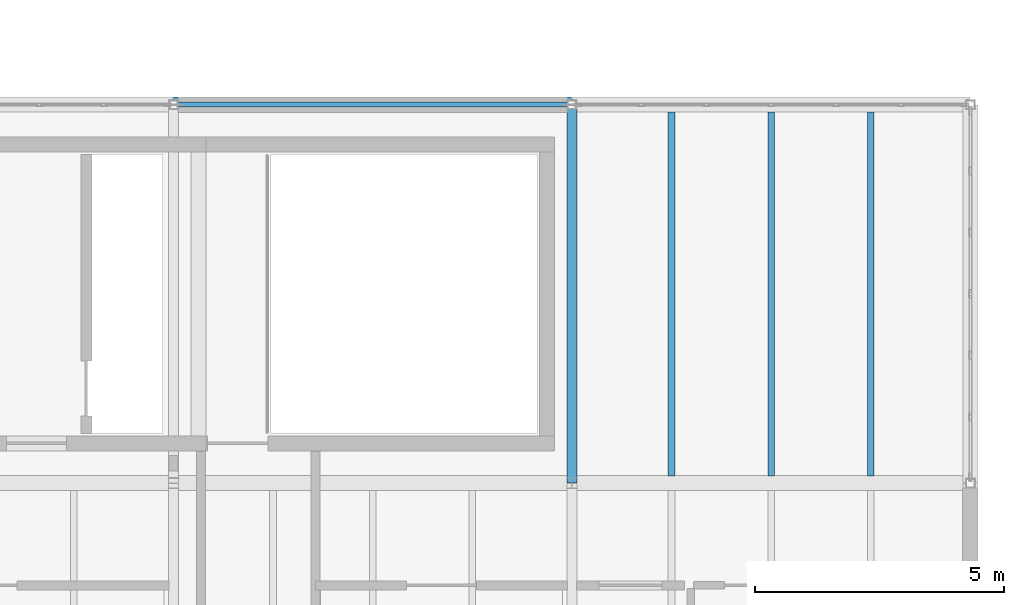
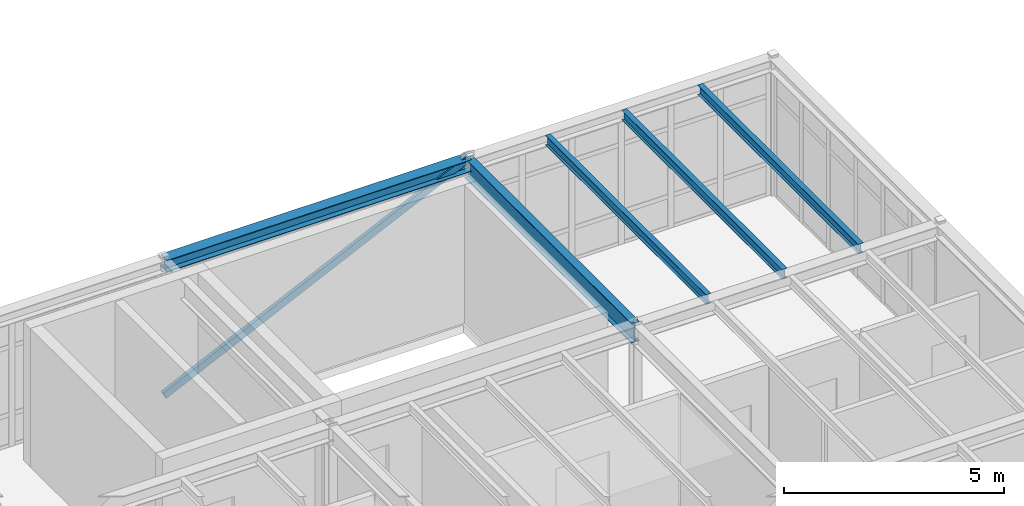
# One storey, part 36 of 65: 5 beams, 1 member.
"""IFC4 building model written with IfcOpenShell, lengths in metres."""

from ifc_helpers import new_model, si_unit, direction, frame, origin, origin_2d, place, context, subcontext, project, spatial, hollow_rectangle, i_section, extrude, material, material_profile, profile_set, type_object, element, save


model = new_model("IFC4")

# Units and contexts
model_context = context("Model", 3, precision=1e-05, world=origin(), true_north=direction((0.0, 1.0)))
body_context = subcontext(model_context, "Body", "Model", "MODEL_VIEW")
ifc_project = project(units=[si_unit("LENGTHUNIT", "METRE"), si_unit("AREAUNIT", "SQUARE_METRE"), si_unit("VOLUMEUNIT", "CUBIC_METRE"), si_unit("PLANEANGLEUNIT", "RADIAN"), si_unit("MASSUNIT", "GRAM", prefix="KILO")], contexts=[model_context])

# Site, building, storey
site_placement = place(None, origin())
site = spatial("IfcSite", under=ifc_project, at=site_placement, CompositionType="ELEMENT")
building_placement = place(site_placement, origin())
building = spatial("IfcBuilding", under=site, at=building_placement, Name="Montecoro Central Library", CompositionType="ELEMENT")
storey_placement = place(building_placement, frame((0.0, 0.0, 17.340087890625)))
storey = spatial("IfcBuildingStorey", under=building, at=storey_placement, Name="L04", CompositionType="ELEMENT", Elevation=17.340087890625)

# Beams
ifc_material_1 = material(Name="Steel S355J2", Category="steel")
ifc_material_profile_1 = material_profile(ifc_material_1, i_section(OverallWidth=0.2099609375, OverallDepth=0.550048828125, WebThickness=0.010986328125, FlangeThickness=0.01708984375, at=origin_2d()), Name="IPE 550")
ifc_profile_set_1 = profile_set([ifc_material_profile_1], Name="Steel S355J2")
beam_type_1 = type_object("IfcBeamType", Name="BM-G-IPE550", PredefinedType="USERDEFINED", material=ifc_profile_set_1)
beam_1_placement = place(storey_placement, frame((165.0, 35.405029296875, 3.5498046875), z_axis=(0.0, 1.0, 0.0), x_axis=(-1.0, 0.0, 0.0)))
element("IfcBeam", 1, at=beam_1_placement, inside=storey, type_object=beam_type_1, Name="V6-L04-BY-21-EF", ObjectType="GIRDER", PredefinedType="USERDEFINED", context=body_context, shape_type="SweptSolid", body=[
    extrude(i_section(OverallWidth=0.2099609375, OverallDepth=0.550048828125, WebThickness=0.010986328125, FlangeThickness=0.01708984375, at=origin_2d()), origin(), (0.0, 0.0, 1.0), 7.590087890625),
])
ifc_material_2 = material(Name="Steel S355", Category="steel")
ifc_material_profile_2 = material_profile(ifc_material_2, i_section(OverallWidth=0.135009765625, OverallDepth=0.27001953125, WebThickness=0.006591796875, FlangeThickness=0.01025390625, at=origin_2d()), Name="IPE 270")
ifc_profile_set_2 = profile_set([ifc_material_profile_2], Name="Steel S355")
beam_type_2 = type_object("IfcBeamType", Name="BM-J-IPE270", PredefinedType="JOIST", material=ifc_profile_set_2)
for number, where, z_axis, x_axis, name in (
    (2, (167.0, 35.547119140625, 3.68994140625), (0.0, 1.0, 0.0), (-1.0, 0.0, 0.0), "V6-L04-JS-2122-EF-1"),
    (3, (169.0, 35.547119140625, 3.68994140625), (0.0, 1.0, 0.0), (-1.0, 0.0, 0.0), "V6-L04-JS-2122-EF-2"),
    (4, (171.0, 35.547119140625, 3.68994140625), (0.0, 1.0, 0.0), (-1.0, 0.0, 0.0), "V6-L04-JS-2122-EF-3"),
):
    element("IfcBeam", number, at=place(storey_placement, frame(where, z_axis=z_axis, x_axis=x_axis)), inside=storey, type_object=beam_type_2, Name=name, PredefinedType="JOIST", context=body_context, shape_type="SweptSolid", body=[
        extrude(i_section(OverallWidth=0.135009765625, OverallDepth=0.27001953125, WebThickness=0.006591796875, FlangeThickness=0.01025390625, at=origin_2d()), origin(), (0.0, 0.0, 1.0), 7.305908203125),
    ])
ifc_material_profile_3 = material_profile(ifc_material_2, i_section(OverallWidth=0.300048828125, OverallDepth=0.330078125, WebThickness=0.009521484375, FlangeThickness=0.0166015625, at=origin_2d()), Name="HEA 340")
ifc_profile_set_3 = profile_set([ifc_material_profile_3], Name="Steel S355")
beam_type_3 = type_object("IfcBeamType", Name="BM-SP-HEA340", PredefinedType="SPANDREL", material=ifc_profile_set_3)
beam_2_placement = place(storey_placement, frame((157.0048828125, 43.0, 3.659912109375), z_axis=(1.0, 0.0, 0.0), x_axis=(0.0, 1.0, 0.0)))
element("IfcBeam", 5, at=beam_2_placement, inside=storey, type_object=beam_type_3, Name="V6-L04-BX-2021-F", PredefinedType="SPANDREL", context=body_context, shape_type="SweptSolid", body=[
    extrude(i_section(OverallWidth=0.300048828125, OverallDepth=0.330078125, WebThickness=0.009521484375, FlangeThickness=0.0166015625, at=origin_2d()), origin(), (0.0, 0.0, 1.0), 7.990234375),
])

# Member
ifc_material_profile_4 = material_profile(ifc_material_2, hollow_rectangle(XDim=0.10009765625, YDim=0.199951171875, WallThickness=0.008056640625, at=origin_2d()), Name="RHS 200x100x8.0")
ifc_profile_set_4 = profile_set([ifc_material_profile_4], Name="Steel S355")
member_type = type_object("IfcMemberType", Name="MB-BR-RHS200", PredefinedType="BRACE", material=ifc_profile_set_4)
member_placement = place(storey_placement, frame((157.0, 43.0, 0.010009765625), z_axis=(0.903499651379, 0.0, 0.428588823884), x_axis=(0.0, 1.0, 0.0)))
element("IfcMember", 6, at=member_placement, inside=storey, type_object=member_type, Name="V6-L04-BRN1", PredefinedType="BRACE", context=body_context, shape_type="SweptSolid", body=[
    extrude(hollow_rectangle(XDim=0.10009765625, YDim=0.199951171875, WallThickness=0.008056640625, at=origin_2d()), origin(), (0.0, 0.0, 1.0), 8.8544921875),
])

save(model, "model.ifc")
